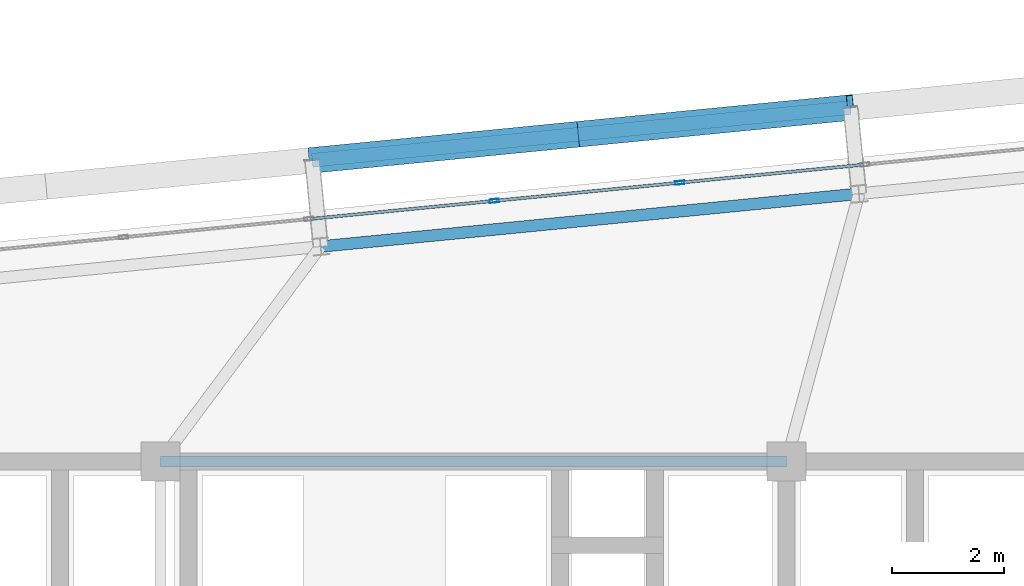
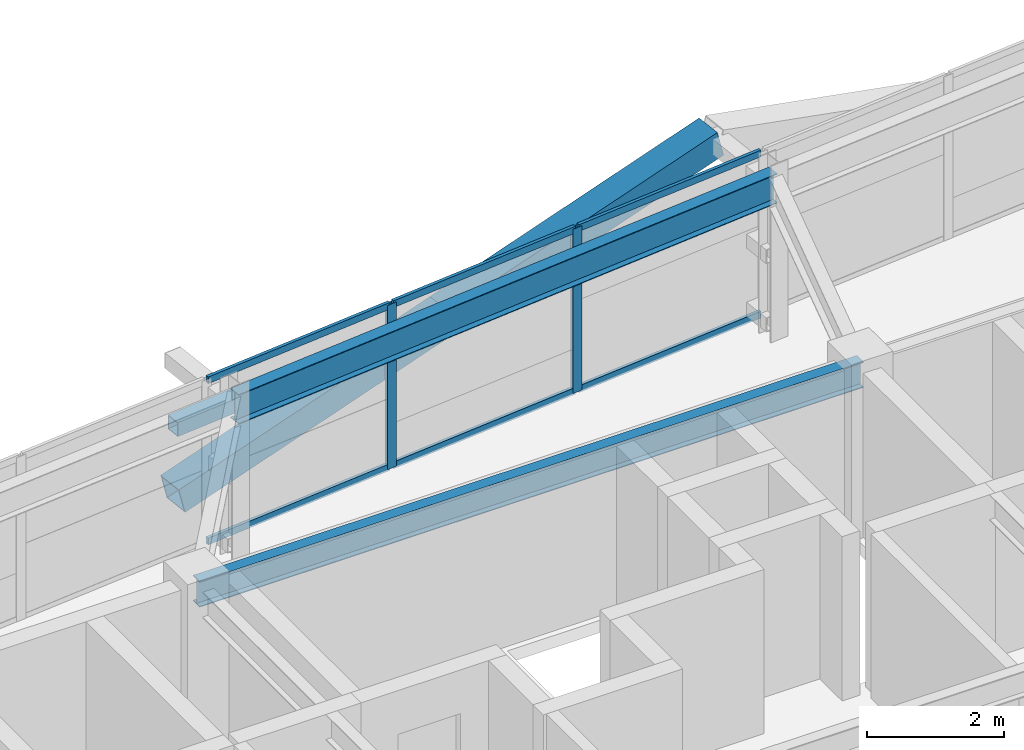
# One storey, part 30 of 53: 11 members, 2 beams, 1 element without a shape of its own.
"""IFC4 building model written with IfcOpenShell, lengths in metres."""

from ifc_helpers import new_model, si_unit, direction, frame, origin, origin_2d, place, context, subcontext, project, spatial, hollow_rectangle, i_section, extrude, source, transform, mapped, material, layer, layer_set, material_profile, profile_set, type_object, element, aggregate, save


model = new_model("IFC4")

# Units and contexts
model_context = context("Model", 3, precision=1e-05, world=origin(), true_north=direction((0.0, 1.0)))
body_context = subcontext(model_context, "Body", "Model", "MODEL_VIEW")
ifc_project = project(units=[si_unit("LENGTHUNIT", "METRE"), si_unit("AREAUNIT", "SQUARE_METRE"), si_unit("VOLUMEUNIT", "CUBIC_METRE"), si_unit("PLANEANGLEUNIT", "RADIAN"), si_unit("MASSUNIT", "GRAM", prefix="KILO")], contexts=[model_context])

# Site, building, storey
site_placement = place(None, origin())
site = spatial("IfcSite", under=ifc_project, at=site_placement, CompositionType="ELEMENT")
building_placement = place(site_placement, origin())
building = spatial("IfcBuilding", under=site, at=building_placement, Name="Taldren Reach Tower", CompositionType="ELEMENT")
storey_placement = place(building_placement, frame((0.0, 0.0, 68.25)))
storey = spatial("IfcBuildingStorey", under=building, at=storey_placement, Name="L20", CompositionType="ELEMENT", Elevation=68.25)

# Beams
ifc_material_1 = material(Name="Steel Gr 350 (350PLUS)", Category="steel")
ifc_material_profile_1 = material_profile(ifc_material_1, i_section(OverallWidth=0.19091796875, OverallDepth=0.4599609375, WebThickness=0.010009765625, FlangeThickness=0.01611328125, at=origin_2d()), Name="460UB82.1")
ifc_profile_set_1 = profile_set([ifc_material_profile_1], Name="Steel Gr 350 (350PLUS)")
beam_type_1 = type_object("IfcBeamType", Name="BM-UB460A", PredefinedType="BEAM", material=ifc_profile_set_1)
shared_shape_1 = source(origin(), body_context, "Body", "SweptSolid", [
    extrude(i_section(OverallWidth=0.19091796875, OverallDepth=0.4599609375, WebThickness=0.010009765625, FlangeThickness=0.01611328125, at=origin_2d()), origin(), (0.0, 0.0, 1.0), 11.199951171875),
])
beam_1_placement = place(storey_placement, frame((28.0, 32.0, 2.699951171875), z_axis=(1.0, 0.0, 0.0), x_axis=(0.0, 1.0, 0.0)))
element("IfcBeam", 1, at=beam_1_placement, inside=storey, type_object=beam_type_1, Name="Core-spine girder L20-SP05", PredefinedType="BEAM", context=body_context, shape_type="MappedRepresentation", body=[
    mapped(shared_shape_1, transform((0.0, 0.0, 0.0), scale=1.0)),
])
ifc_material_profile_2 = material_profile(ifc_material_1, i_section(OverallWidth=0.208984375, OverallDepth=0.528076171875, WebThickness=0.009521484375, FlangeThickness=0.01318359375, at=origin_2d()), Name="530UB82.0")
ifc_profile_set_2 = profile_set([ifc_material_profile_2], Name="Steel Gr 350 (350PLUS)")
beam_type_2 = type_object("IfcBeamType", Name="SP-UB530B", PredefinedType="SPANDREL", material=ifc_profile_set_2)
shared_shape_2 = source(origin(), body_context, "Body", "SweptSolid", [
    extrude(i_section(OverallWidth=0.208984375, OverallDepth=0.528076171875, WebThickness=0.009521484375, FlangeThickness=0.01318359375, at=origin_2d()), origin(), (0.0, 0.0, 1.0), 9.679931640625),
])
beam_2_placement = place(storey_placement, frame((40.498291015625, 36.790771484375, 2.666015625), z_axis=(-0.995227612658, -0.097580730699, 0.0), x_axis=(0.097580730699, -0.995227612658, 0.0)))
element("IfcBeam", 2, at=beam_2_placement, inside=storey, type_object=beam_type_2, Name="Perimeter spandrel B2 N4-N3 L20", PredefinedType="SPANDREL", context=body_context, shape_type="MappedRepresentation", body=[
    mapped(shared_shape_2, transform((0.0, 0.0, 0.0), scale=1.0)),
])

# Members
ifc_material_2 = material(Name="Steel Gr 450 (C450L0)", Category="steel")
ifc_material_profile_3 = material_profile(ifc_material_2, hollow_rectangle(XDim=0.4599609375, YDim=0.4599609375, WallThickness=0.01611328125, at=origin_2d()), Name="460x460x16.0SHS")
ifc_profile_set_3 = profile_set([ifc_material_profile_3], Name="Steel Gr 450 (C450L0)")
member_type_1 = type_object("IfcMemberType", Name="MB-EXO457", PredefinedType="BRACE", material=ifc_profile_set_3)
shared_shape_3 = source(origin(), body_context, "Body", "SweptSolid", [
    extrude(hollow_rectangle(XDim=0.4599609375, YDim=0.4599609375, WallThickness=0.01611328125, at=origin_2d()), origin(), (0.0, 0.0, 1.0), 4.990234375),
])
for number, where, z_axis, x_axis, name in (
    (3, (30.713134765625, 37.388671875, 0.219970703125), (0.965271056716, 0.094667992638, 0.243494883389), (-0.097605711627, 0.995225162995, 0.0), "Exoskeleton Diagrid Brace B2-N3 L20"),
    (4, (35.530029296875, 37.861083984375, 1.43505859375), (0.965287024526, 0.094620633828, 0.24344998652), (-0.097555749586, 0.995230061706, 0.0), "Exoskeleton Diagrid Brace B2-N3 L20"),
):
    element("IfcMember", number, at=place(storey_placement, frame(where, z_axis=z_axis, x_axis=x_axis)), inside=storey, type_object=member_type_1, Name=name, PredefinedType="BRACE", context=body_context, shape_type="MappedRepresentation", body=[
        mapped(shared_shape_3, transform((0.0, 0.0, 0.0), scale=1.0)),
    ])
ifc_material_3 = material(Name="Steel Gr 350 (C350L0)", Category="steel")
ifc_material_profile_4 = material_profile(ifc_material_3, hollow_rectangle(XDim=0.25, YDim=0.25, WallThickness=0.010009765625, at=origin_2d()), Name="250x250x10.0SHS")
ifc_profile_set_4 = profile_set([ifc_material_profile_4], Name="Steel Gr 350 (C350L0)")
member_type_2 = type_object("IfcMemberType", Name="MB-POST250", PredefinedType="POST", material=ifc_profile_set_4)
shared_shape_4 = source(origin(), body_context, "Body", "SweptSolid", [
    extrude(hollow_rectangle(XDim=0.25, YDim=0.25, WallThickness=0.010009765625, at=origin_2d()), origin(), (0.0, 0.0, 1.0), 9.679931640625),
])
member_1_placement = place(storey_placement, frame((30.713134765625, 37.388671875, 1.43505859375), z_axis=(0.995227612658, 0.097580730699, 0.0), x_axis=(-0.097580730699, 0.995227612658, 0.0)))
element("IfcMember", 5, at=member_1_placement, inside=storey, type_object=member_type_2, Name="Exoskeleton mid-height ring chord B2-N3 L20", PredefinedType="POST", context=body_context, shape_type="MappedRepresentation", body=[
    mapped(shared_shape_4, transform((0.0, 0.0, 0.0), scale=1.0)),
])

# Curtain wall, members
ifc_material_4 = material(Name="Aluminium and Low-E Glass Unitised System", Category="aluminium")
ifc_layer = layer(ifc_material_4, 0.159912109375)
ifc_layer_set = layer_set([ifc_layer], Name="Aluminium and Low-E Glass Unitised System")
curtain_wall_type = type_object("IfcCurtainWallType", Name="CW-SYS-3", PredefinedType="NOTDEFINED", material=ifc_layer_set)
curtain_wall_placement = place(storey_placement, origin())
curtain_wall = element("IfcCurtainWall", 6, at=curtain_wall_placement, inside=storey, type_object=curtain_wall_type, Name="Unitised curtain wall CW-L20-N", PredefinedType="NOTDEFINED")
ifc_material_5 = material(Name="Anodised Aluminium 6063-T6", Category="aluminium")
ifc_material_profile_5 = material_profile(ifc_material_5, hollow_rectangle(XDim=0.06494140625, YDim=0.1650390625, WallThickness=0.00390625, at=origin_2d()), Name="ALU-165x65x4RHS")
ifc_profile_set_5 = profile_set([ifc_material_profile_5], Name="Anodised Aluminium 6063-T6")
member_type_3 = type_object("IfcMemberType", Name="CW-MUL-165", PredefinedType="MULLION", material=ifc_profile_set_5)
shared_shape_5 = source(origin(), body_context, "Body", "SweptSolid", [
    extrude(hollow_rectangle(XDim=0.06494140625, YDim=0.1650390625, WallThickness=0.00390625, at=origin_2d()), origin(), (0.0, 0.0, 1.0), 2.929931640625),
])
member_2_placement = place(storey_placement, frame((37.290283203125, 36.988525390625, 0.0), z_axis=(0.0, 0.0, 1.0), x_axis=(0.097582999046, -0.995227390247, 0.0)))
member_2 = element("IfcMember", 7, at=member_2_placement, type_object=member_type_3, Name="CW-3 mullion 8", PredefinedType="MULLION", context=body_context, shape_type="MappedRepresentation", body=[
    mapped(shared_shape_5, transform((0.0, 0.0, 0.0), scale=1.0)),
])
member_3_placement = place(storey_placement, frame((33.972900390625, 36.663330078125, 0.0), z_axis=(0.0, 0.0, 1.0), x_axis=(0.097582999046, -0.995227390247, 0.0)))
member_3 = element("IfcMember", 8, at=member_3_placement, type_object=member_type_3, Name="CW-3 mullion 9", PredefinedType="MULLION", context=body_context, shape_type="MappedRepresentation", body=[
    mapped(shared_shape_5, transform((0.0, 0.0, 0.0), scale=1.0)),
])
ifc_material_profile_6 = material_profile(ifc_material_5, hollow_rectangle(XDim=0.054931640625, YDim=0.1201171875, WallThickness=0.0029296875, at=origin_2d()), Name="ALU-120x55x3RHS")
ifc_profile_set_6 = profile_set([ifc_material_profile_6], Name="Anodised Aluminium 6063-T6")
member_type_4 = type_object("IfcMemberType", Name="CW-TRN-135", PredefinedType="USERDEFINED", material=ifc_profile_set_6)
shared_shape_6 = source(origin(), body_context, "Body", "SweptSolid", [
    extrude(hollow_rectangle(XDim=0.054931640625, YDim=0.1201171875, WallThickness=0.0029296875, at=origin_2d()), origin(), (0.0, 0.0, 1.0), 3.268310546875),
])
member_4_placement = place(storey_placement, frame((37.2578125, 36.9853515625, 0.027587890625), z_axis=(-0.99522980512, -0.097558367146, 0.0), x_axis=(0.097558367146, -0.99522980512, 0.0)))
member_4 = element("IfcMember", 9, at=member_4_placement, type_object=member_type_4, Name="CW-3 transom 8.1", ObjectType="TRANSOM", PredefinedType="USERDEFINED", context=body_context, shape_type="MappedRepresentation", body=[
    mapped(shared_shape_6, transform((0.0, 0.0, 0.0), scale=1.0)),
])
member_5_placement = place(storey_placement, frame((37.2578125, 36.9853515625, 2.902587890625), z_axis=(-0.99522980512, -0.097558367146, 0.0), x_axis=(0.097558367146, -0.99522980512, 0.0)))
member_5 = element("IfcMember", 10, at=member_5_placement, type_object=member_type_4, Name="CW-3 transom 8.2", ObjectType="TRANSOM", PredefinedType="USERDEFINED", context=body_context, shape_type="MappedRepresentation", body=[
    mapped(shared_shape_6, transform((0.0, 0.0, 0.0), scale=1.0)),
])
member_6_placement = place(storey_placement, frame((33.9404296875, 36.66015625, 0.027587890625), z_axis=(-0.99522980512, -0.097558367146, 0.0), x_axis=(0.097558367146, -0.99522980512, 0.0)))
member_6 = element("IfcMember", 11, at=member_6_placement, type_object=member_type_4, Name="CW-3 transom 9.1", ObjectType="TRANSOM", PredefinedType="USERDEFINED", context=body_context, shape_type="MappedRepresentation", body=[
    mapped(shared_shape_6, transform((0.0, 0.0, 0.0), scale=1.0)),
])
member_7_placement = place(storey_placement, frame((33.9404296875, 36.66015625, 2.902587890625), z_axis=(-0.99522980512, -0.097558367146, 0.0), x_axis=(0.097558367146, -0.99522980512, 0.0)))
member_7 = element("IfcMember", 12, at=member_7_placement, type_object=member_type_4, Name="CW-3 transom 9.2", ObjectType="TRANSOM", PredefinedType="USERDEFINED", context=body_context, shape_type="MappedRepresentation", body=[
    mapped(shared_shape_6, transform((0.0, 0.0, 0.0), scale=1.0)),
])
shared_shape_7 = source(origin(), body_context, "Body", "SweptSolid", [
    extrude(hollow_rectangle(XDim=0.054931640625, YDim=0.1201171875, WallThickness=0.0029296875, at=origin_2d()), origin(), (0.0, 0.0, 1.0), 3.2685546875),
])
member_8_placement = place(storey_placement, frame((40.575439453125, 37.310791015625, 0.027587890625), z_axis=(-0.995223261527, -0.09762509778, 0.0), x_axis=(0.09762509778, -0.995223261527, 0.0)))
member_8 = element("IfcMember", 13, at=member_8_placement, type_object=member_type_4, Name="CW-3 transom 7.1", ObjectType="TRANSOM", PredefinedType="USERDEFINED", context=body_context, shape_type="MappedRepresentation", body=[
    mapped(shared_shape_7, transform((0.0, 0.0, 0.0), scale=1.0)),
])
member_9_placement = place(storey_placement, frame((40.575439453125, 37.310791015625, 2.902587890625), z_axis=(-0.995223261527, -0.09762509778, 0.0), x_axis=(0.09762509778, -0.995223261527, 0.0)))
member_9 = element("IfcMember", 14, at=member_9_placement, type_object=member_type_4, Name="CW-3 transom 7.2", ObjectType="TRANSOM", PredefinedType="USERDEFINED", context=body_context, shape_type="MappedRepresentation", body=[
    mapped(shared_shape_7, transform((0.0, 0.0, 0.0), scale=1.0)),
])
aggregate(curtain_wall, [member_2, member_3, member_8, member_9, member_4, member_5, member_6, member_7])

save(model, "model.ifc")
